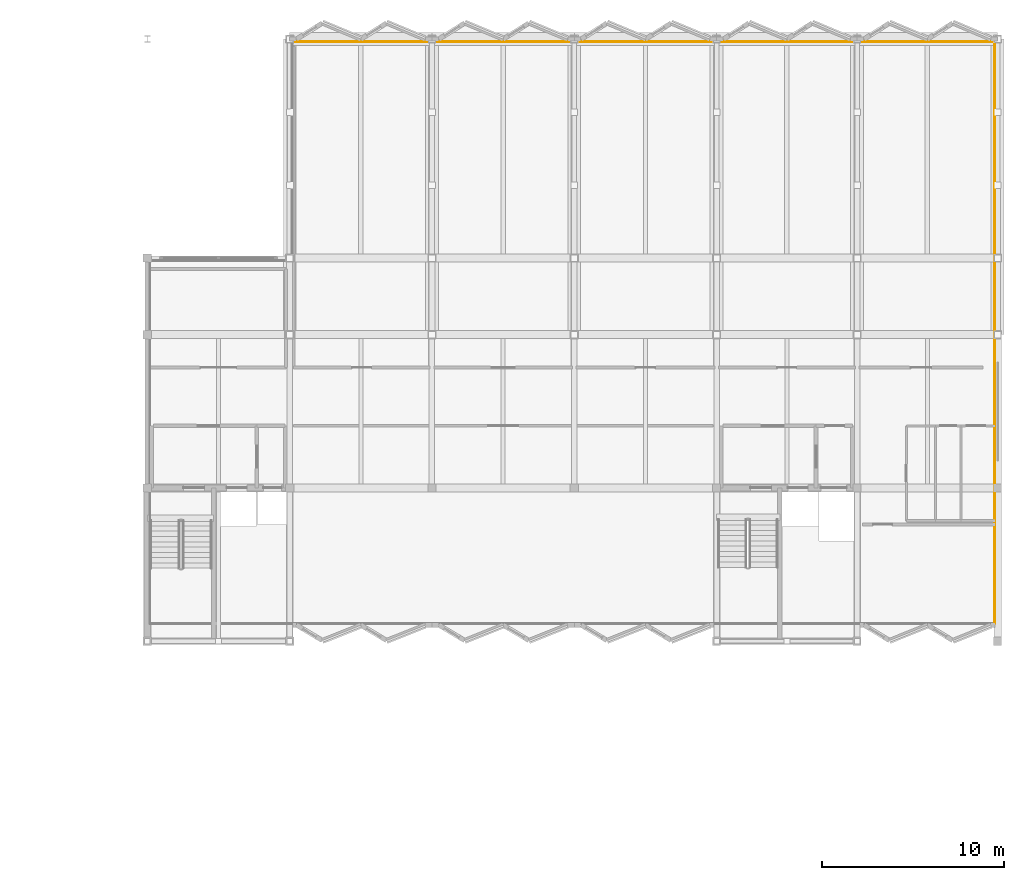
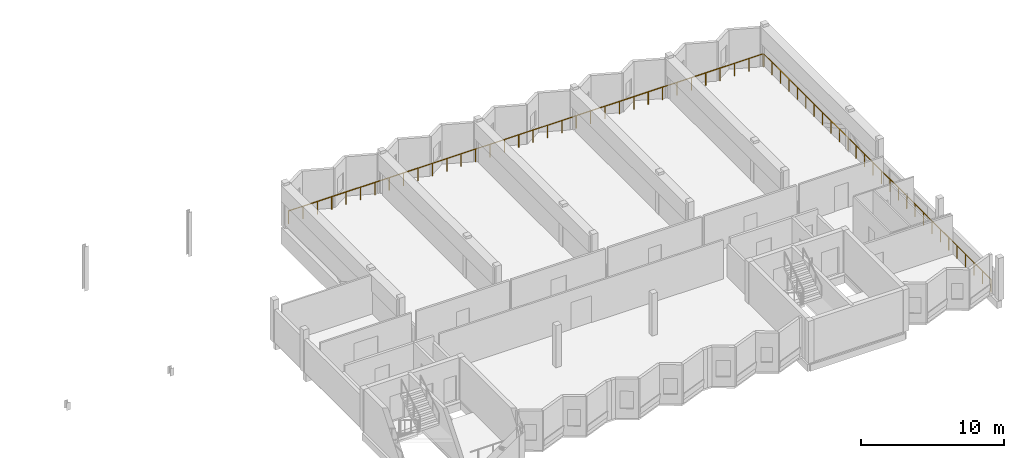
# One storey, part 34 of 34: 2 railings.
"""IFC4 building model written with IfcOpenShell, lengths in metres."""

import ifcopenshell
import ifcopenshell.guid

model = None  # the IFC model being written
_history = None  # IfcOwnerHistory: only IFC2X3 demands one
_inside = {}  # id of a spatial element -> (the spatial element, [elements in it])
_under = {}  # id of a project, library or spatial element -> (it, [spatial elements below it])
_declared = {}  # id of a project -> (the project, [libraries it declares])
_typed = {}  # id of a type object -> (the type object, [elements of that type])
_made_of = {}  # id of a material, layer set ... -> (it, [elements and type objects made of it])


def new_model(schema):
    """Start an empty IFC model of exactly this schema.

    Asked for "IFC4X3", IfcOpenShell would pick the latest addendum, in which some entities
    have other attributes; the version numbers below select the first issue.
    IFC2X3 requires an IfcOwnerHistory on every rooted entity: one is made here for all.
    """
    global model, _history
    if schema == "IFC4X3":
        model = ifcopenshell.file(schema_version=(4, 3, 0, 0))
    else:
        model = ifcopenshell.file(schema=schema)
    _inside.clear()
    _under.clear()
    _declared.clear()
    _typed.clear()
    _made_of.clear()
    _history = None
    if model.schema == "IFC2X3":
        org = make("IfcOrganization", Name="unknown")
        user = make(
            "IfcPersonAndOrganization",
            ThePerson=make("IfcPerson", FamilyName="unknown"),
            TheOrganization=org,
        )
        app = make(
            "IfcApplication",
            ApplicationDeveloper=org,
            Version="unknown",
            ApplicationFullName="unknown",
            ApplicationIdentifier="unknown",
        )
        _history = make(
            "IfcOwnerHistory",
            OwningUser=user,
            OwningApplication=app,
            ChangeAction="ADDED",
            CreationDate=0,
        )
    return model


def make(cls, **values):
    """One entity of the class cls with the attributes given. An attribute that is None is left unset."""
    return model.create_entity(
        cls, **{name: value for name, value in values.items() if value is not None}
    )


def rooted(cls, **values):
    """An entity with a GlobalId (a new one), such as an element, a storey or a relation."""
    return make(cls, GlobalId=ifcopenshell.guid.new(), OwnerHistory=_history, **values)


def si_unit(unit_type, name, prefix=None):
    """IfcSIUnit, for example si_unit("LENGTHUNIT", "METRE", prefix="MILLI")."""
    return make("IfcSIUnit", UnitType=unit_type, Prefix=prefix, Name=name)


def assignment(units):
    """IfcUnitAssignment: the units of a project."""
    return None if units is None else make("IfcUnitAssignment", Units=units)


def point(xyz):
    """IfcCartesianPoint."""
    return None if xyz is None else make("IfcCartesianPoint", Coordinates=xyz)


def direction(xyz):
    """IfcDirection."""
    return None if xyz is None else make("IfcDirection", DirectionRatios=xyz)


def frame(location, z_axis=None, x_axis=None):
    """IfcAxis2Placement3D, a coordinate frame: its origin and axes. An axis left out is left unset."""
    return make(
        "IfcAxis2Placement3D",
        Location=point(location),
        Axis=direction(z_axis),
        RefDirection=direction(x_axis),
    )


def frame_2d(location, x_axis=None):
    """IfcAxis2Placement2D, a coordinate frame in the plane: its origin and x axis."""
    return make(
        "IfcAxis2Placement2D", Location=point(location), RefDirection=direction(x_axis)
    )


def origin():
    """The frame at (0, 0, 0) with its axes left unset."""
    return frame((0.0, 0.0, 0.0))


def origin_2d():
    """The frame at (0, 0) in the plane with its x axis left unset."""
    return frame_2d((0.0, 0.0))


def place(relative_to, where):
    """IfcLocalPlacement: puts the frame where relative to a parent placement (None: the world)."""
    return make(
        "IfcLocalPlacement", PlacementRelTo=relative_to, RelativePlacement=where
    )


def context(
    kind, dimensions, precision=None, world=None, true_north=None, identifier=None
):
    """IfcGeometricRepresentationContext, for example the 3D "Model" context."""
    return make(
        "IfcGeometricRepresentationContext",
        ContextIdentifier=identifier,
        ContextType=kind,
        CoordinateSpaceDimension=dimensions,
        Precision=precision,
        WorldCoordinateSystem=world,
        TrueNorth=true_north,
    )


def subcontext(parent, identifier, kind, view, scale=None):
    """IfcGeometricRepresentationSubContext, for example "Body" below "Model"."""
    return make(
        "IfcGeometricRepresentationSubContext",
        ContextIdentifier=identifier,
        ContextType=kind,
        ParentContext=parent,
        TargetScale=scale,
        TargetView=view,
    )


def project(units=None, contexts=None):
    """IfcProject with its units and contexts."""
    return rooted(
        "IfcProject",
        Name="project",
        RepresentationContexts=contexts,
        UnitsInContext=assignment(units),
    )


def spatial(cls, under=None, at=None, **own):
    """A site, building, storey or space (cls), placed at a placement, below another one or the project."""
    s = rooted(cls, ObjectPlacement=at, **own)
    if under is not None:
        _under.setdefault(under.id(), (under, []))[1].append(s)
    return s


def profile(cls, at=None, kind="AREA", **sizes):
    """A parametric profile (cls). Its sizes go by their IFC names, for example OverallWidth=200.0."""
    return make(cls, ProfileType=kind, Position=at, **sizes)


def circle(**sizes):
    """IfcCircleProfileDef."""
    return profile("IfcCircleProfileDef", **sizes)


def extrude(swept, where, along, depth):
    """IfcExtrudedAreaSolid: the profile swept, set in the frame where, extruded along a direction by depth."""
    return make(
        "IfcExtrudedAreaSolid",
        SweptArea=swept,
        Position=where,
        ExtrudedDirection=direction(along),
        Depth=depth,
    )


def shape(context_of_items, identifier, shape_type, items):
    """IfcShapeRepresentation: the items that make up one representation, for example the "Body"."""
    return make(
        "IfcShapeRepresentation",
        ContextOfItems=context_of_items,
        RepresentationIdentifier=identifier,
        RepresentationType=shape_type,
        Items=items,
    )


def material(Name=None, Category=None):
    """IfcMaterial."""
    return make("IfcMaterial", Name=Name, Category=Category)


def made_of(thing, what):
    """Note that an element or type object is made of a material, layer set ...; save() writes the relation."""
    if what is not None:
        _made_of.setdefault(what.id(), (what, []))[1].append(thing)
    return thing


def type_object(cls, material=None, **own):
    """A type object (cls), such as IfcWallType, which elements share."""
    return made_of(rooted(cls, **own), material)


def element(
    cls,
    number,
    at=None,
    inside=None,
    cuts=None,
    type_object=None,
    material=None,
    context=None,
    identifier="Body",
    shape_type=None,
    held_by="IfcProductDefinitionShape",
    body=None,
    shapes=None,
    **own,
):
    """One element of the class cls, such as IfcWall. Its Tag is "e" and its number.

    at: its placement. inside: the storey or other place that contains it. cuts: it is an
    opening in that element (IfcRelVoidsElement). A single representation is given by context,
    identifier, shape_type and body (its items); several are given by shapes. held_by: the class
    of the entity that holds the representations. save() writes the other relations.
    """
    e = rooted(cls, Tag="e%d" % number, ObjectPlacement=at, **own)
    if body is not None:
        shapes = [shape(context, identifier, shape_type, body)]
    if shapes is not None:
        e.Representation = make(held_by, Representations=shapes)
    if inside is not None:
        _inside.setdefault(inside.id(), (inside, []))[1].append(e)
    if cuts is not None:
        rooted(
            "IfcRelVoidsElement", RelatingBuildingElement=cuts, RelatedOpeningElement=e
        )
    if type_object is not None:
        _typed.setdefault(type_object.id(), (type_object, []))[1].append(e)
    return made_of(e, material)


def aggregate(whole, parts):
    """IfcRelAggregates: a whole, such as a stair, and the parts it consists of."""
    return rooted("IfcRelAggregates", RelatingObject=whole, RelatedObjects=parts)


def save(model, path):
    """Write the relations noted so far, then the file.

    IfcRelAggregates (storeys below a building ...), IfcRelContainedInSpatialStructure (elements
    in a storey), IfcRelDefinesByType, IfcRelAssociatesMaterial and IfcRelDeclares: one each for
    every whole, place, type object, material and project.
    """
    for whole, parts in _under.values():
        aggregate(whole, parts)
    for where, things in _inside.values():
        rooted(
            "IfcRelContainedInSpatialStructure",
            RelatedElements=things,
            RelatingStructure=where,
        )
    for kind, things in _typed.values():
        rooted("IfcRelDefinesByType", RelatedObjects=things, RelatingType=kind)
    for what, things in _made_of.values():
        rooted("IfcRelAssociatesMaterial", RelatedObjects=things, RelatingMaterial=what)
    for by, libraries in _declared.values():
        rooted("IfcRelDeclares", RelatingContext=by, RelatedDefinitions=libraries)
    model.write(path)


model = new_model("IFC4")

# Units and contexts
model_context = context("Model", 3, precision=1e-05, world=origin(), true_north=direction((0.0, 1.0)))
body_context = subcontext(model_context, "Body", "Model", "MODEL_VIEW")
ifc_project = project(units=[si_unit("LENGTHUNIT", "METRE"), si_unit("AREAUNIT", "SQUARE_METRE"), si_unit("VOLUMEUNIT", "CUBIC_METRE"), si_unit("PLANEANGLEUNIT", "RADIAN"), si_unit("MASSUNIT", "GRAM", prefix="KILO")], contexts=[model_context])

# Site, building, storey
site_placement = place(None, origin())
site = spatial("IfcSite", under=ifc_project, at=site_placement, CompositionType="ELEMENT")
building_placement = place(site_placement, origin())
building = spatial("IfcBuilding", under=site, at=building_placement, Name="Vharandega Faculty of Natural Sciences", CompositionType="ELEMENT")
storey_placement = place(building_placement, frame((0.0, 0.0, 21.60009765625)))
storey = spatial("IfcBuildingStorey", under=building, at=storey_placement, Name="L05", CompositionType="ELEMENT", Elevation=21.60009765625)

# Railings
ifc_material = material(Name="Galvanised painted steel balustrade", Category="steel")
railing_type = type_object("IfcRailingType", Name="Terrace Steel Guardrail 1100", PredefinedType="GUARDRAIL", material=ifc_material)
railing_1_placement = place(storey_placement, frame((161.25, 64.97509765625, 0.0)))
element("IfcRailing", 1, at=railing_1_placement, inside=storey, type_object=railing_type, Name="Perimeter Sill Guard L05 #2", PredefinedType="GUARDRAIL", context=body_context, shape_type="SweptSolid", body=[
    extrude(circle(Radius=0.02392578125, at=origin_2d()), frame((0.0, 0.0, 1.076171875), z_axis=(0.0, 1.0, 0.0), x_axis=(-1.0, 0.0, 0.0)), (0.0, 0.0, 1.0), 31.849853515625),
    extrude(circle(Radius=0.02099609375, at=origin_2d()), origin(), (0.0, 0.0, 1.0), 1.052001953125),
    extrude(circle(Radius=0.02099609375, at=origin_2d()), frame((0.0, 1.1796875, 0.0)), (0.0, 0.0, 1.0), 1.052001953125),
    extrude(circle(Radius=0.02099609375, at=origin_2d()), frame((0.0, 2.359130859375, 0.0)), (0.0, 0.0, 1.0), 1.052001953125),
    extrude(circle(Radius=0.02099609375, at=origin_2d()), frame((0.0, 3.538818359375, 0.0)), (0.0, 0.0, 1.0), 1.052001953125),
    extrude(circle(Radius=0.02099609375, at=origin_2d()), frame((0.0, 4.718505859375, 0.0)), (0.0, 0.0, 1.0), 1.052001953125),
    extrude(circle(Radius=0.02099609375, at=origin_2d()), frame((0.0, 5.898193359375, 0.0)), (0.0, 0.0, 1.0), 1.052001953125),
    extrude(circle(Radius=0.02099609375, at=origin_2d()), frame((0.0, 7.07763671875, 0.0)), (0.0, 0.0, 1.0), 1.052001953125),
    extrude(circle(Radius=0.02099609375, at=origin_2d()), frame((0.0, 8.25732421875, 0.0)), (0.0, 0.0, 1.0), 1.052001953125),
    extrude(circle(Radius=0.02099609375, at=origin_2d()), frame((0.0, 9.43701171875, 0.0)), (0.0, 0.0, 1.0), 1.052001953125),
    extrude(circle(Radius=0.02099609375, at=origin_2d()), frame((0.0, 10.61669921875, 0.0)), (0.0, 0.0, 1.0), 1.052001953125),
    extrude(circle(Radius=0.02099609375, at=origin_2d()), frame((0.0, 11.796142578125, 0.0)), (0.0, 0.0, 1.0), 1.052001953125),
    extrude(circle(Radius=0.02099609375, at=origin_2d()), frame((0.0, 12.975830078125, 0.0)), (0.0, 0.0, 1.0), 1.052001953125),
    extrude(circle(Radius=0.02099609375, at=origin_2d()), frame((0.0, 14.155517578125, 0.0)), (0.0, 0.0, 1.0), 1.052001953125),
    extrude(circle(Radius=0.02099609375, at=origin_2d()), frame((0.0, 15.335205078125, 0.0)), (0.0, 0.0, 1.0), 1.052001953125),
    extrude(circle(Radius=0.02099609375, at=origin_2d()), frame((0.0, 16.5146484375, 0.0)), (0.0, 0.0, 1.0), 1.052001953125),
    extrude(circle(Radius=0.02099609375, at=origin_2d()), frame((0.0, 17.6943359375, 0.0)), (0.0, 0.0, 1.0), 1.052001953125),
    extrude(circle(Radius=0.02099609375, at=origin_2d()), frame((0.0, 18.8740234375, 0.0)), (0.0, 0.0, 1.0), 1.052001953125),
    extrude(circle(Radius=0.02099609375, at=origin_2d()), frame((0.0, 20.0537109375, 0.0)), (0.0, 0.0, 1.0), 1.052001953125),
    extrude(circle(Radius=0.02099609375, at=origin_2d()), frame((0.0, 21.233154296875, 0.0)), (0.0, 0.0, 1.0), 1.052001953125),
    extrude(circle(Radius=0.02099609375, at=origin_2d()), frame((0.0, 22.412841796875, 0.0)), (0.0, 0.0, 1.0), 1.052001953125),
    extrude(circle(Radius=0.02099609375, at=origin_2d()), frame((0.0, 23.592529296875, 0.0)), (0.0, 0.0, 1.0), 1.052001953125),
    extrude(circle(Radius=0.02099609375, at=origin_2d()), frame((0.0, 24.772216796875, 0.0)), (0.0, 0.0, 1.0), 1.052001953125),
    extrude(circle(Radius=0.02099609375, at=origin_2d()), frame((0.0, 25.95166015625, 0.0)), (0.0, 0.0, 1.0), 1.052001953125),
    extrude(circle(Radius=0.02099609375, at=origin_2d()), frame((0.0, 27.13134765625, 0.0)), (0.0, 0.0, 1.0), 1.052001953125),
    extrude(circle(Radius=0.02099609375, at=origin_2d()), frame((0.0, 28.31103515625, 0.0)), (0.0, 0.0, 1.0), 1.052001953125),
    extrude(circle(Radius=0.02099609375, at=origin_2d()), frame((0.0, 29.49072265625, 0.0)), (0.0, 0.0, 1.0), 1.052001953125),
    extrude(circle(Radius=0.02099609375, at=origin_2d()), frame((0.0, 30.670166015625, 0.0)), (0.0, 0.0, 1.0), 1.052001953125),
    extrude(circle(Radius=0.02099609375, at=origin_2d()), frame((0.0, 31.849853515625, 0.0)), (0.0, 0.0, 1.0), 1.052001953125),
])
railing_2_placement = place(storey_placement, frame((161.22509765625, 96.85009765625, 0.0)))
element("IfcRailing", 2, at=railing_2_placement, inside=storey, type_object=railing_type, Name="Perimeter Sill Guard L05 #3", PredefinedType="GUARDRAIL", context=body_context, shape_type="SweptSolid", body=[
    extrude(circle(Radius=0.02392578125, at=origin_2d()), frame((0.0, 0.0, 1.076171875), z_axis=(-1.0, 0.0, 0.0), x_axis=(0.0, -1.0, 0.0)), (0.0, 0.0, 1.0), 38.4501953125),
    extrude(circle(Radius=0.02099609375, at=origin_2d()), origin(), (0.0, 0.0, 1.0), 1.052001953125),
    extrude(circle(Radius=0.02099609375, at=origin_2d()), frame((-1.1650390625, 0.0, 0.0)), (0.0, 0.0, 1.0), 1.052001953125),
    extrude(circle(Radius=0.02099609375, at=origin_2d()), frame((-2.330322265625, 0.0, 0.0)), (0.0, 0.0, 1.0), 1.052001953125),
    extrude(circle(Radius=0.02099609375, at=origin_2d()), frame((-3.495361328125, 0.0, 0.0)), (0.0, 0.0, 1.0), 1.052001953125),
    extrude(circle(Radius=0.02099609375, at=origin_2d()), frame((-4.66064453125, 0.0, 0.0)), (0.0, 0.0, 1.0), 1.052001953125),
    extrude(circle(Radius=0.02099609375, at=origin_2d()), frame((-5.82568359375, 0.0, 0.0)), (0.0, 0.0, 1.0), 1.052001953125),
    extrude(circle(Radius=0.02099609375, at=origin_2d()), frame((-6.990966796875, 0.0, 0.0)), (0.0, 0.0, 1.0), 1.052001953125),
    extrude(circle(Radius=0.02099609375, at=origin_2d()), frame((-8.156005859375, 0.0, 0.0)), (0.0, 0.0, 1.0), 1.052001953125),
    extrude(circle(Radius=0.02099609375, at=origin_2d()), frame((-9.3212890625, 0.0, 0.0)), (0.0, 0.0, 1.0), 1.052001953125),
    extrude(circle(Radius=0.02099609375, at=origin_2d()), frame((-10.486328125, 0.0, 0.0)), (0.0, 0.0, 1.0), 1.052001953125),
    extrude(circle(Radius=0.02099609375, at=origin_2d()), frame((-11.651611328125, 0.0, 0.0)), (0.0, 0.0, 1.0), 1.052001953125),
    extrude(circle(Radius=0.02099609375, at=origin_2d()), frame((-12.816650390625, 0.0, 0.0)), (0.0, 0.0, 1.0), 1.052001953125),
    extrude(circle(Radius=0.02099609375, at=origin_2d()), frame((-13.98193359375, 0.0, 0.0)), (0.0, 0.0, 1.0), 1.052001953125),
    extrude(circle(Radius=0.02099609375, at=origin_2d()), frame((-15.14697265625, 0.0, 0.0)), (0.0, 0.0, 1.0), 1.052001953125),
    extrude(circle(Radius=0.02099609375, at=origin_2d()), frame((-16.312255859375, 0.0, 0.0)), (0.0, 0.0, 1.0), 1.052001953125),
    extrude(circle(Radius=0.02099609375, at=origin_2d()), frame((-17.477294921875, 0.0, 0.0)), (0.0, 0.0, 1.0), 1.052001953125),
    extrude(circle(Radius=0.02099609375, at=origin_2d()), frame((-18.642578125, 0.0, 0.0)), (0.0, 0.0, 1.0), 1.052001953125),
    extrude(circle(Radius=0.02099609375, at=origin_2d()), frame((-19.8076171875, 0.0, 0.0)), (0.0, 0.0, 1.0), 1.052001953125),
    extrude(circle(Radius=0.02099609375, at=origin_2d()), frame((-20.972900390625, 0.0, 0.0)), (0.0, 0.0, 1.0), 1.052001953125),
    extrude(circle(Radius=0.02099609375, at=origin_2d()), frame((-22.137939453125, 0.0, 0.0)), (0.0, 0.0, 1.0), 1.052001953125),
    extrude(circle(Radius=0.02099609375, at=origin_2d()), frame((-23.30322265625, 0.0, 0.0)), (0.0, 0.0, 1.0), 1.052001953125),
    extrude(circle(Radius=0.02099609375, at=origin_2d()), frame((-24.46826171875, 0.0, 0.0)), (0.0, 0.0, 1.0), 1.052001953125),
    extrude(circle(Radius=0.02099609375, at=origin_2d()), frame((-25.633544921875, 0.0, 0.0)), (0.0, 0.0, 1.0), 1.052001953125),
    extrude(circle(Radius=0.02099609375, at=origin_2d()), frame((-26.798583984375, 0.0, 0.0)), (0.0, 0.0, 1.0), 1.052001953125),
    extrude(circle(Radius=0.02099609375, at=origin_2d()), frame((-27.9638671875, 0.0, 0.0)), (0.0, 0.0, 1.0), 1.052001953125),
    extrude(circle(Radius=0.02099609375, at=origin_2d()), frame((-29.12890625, 0.0, 0.0)), (0.0, 0.0, 1.0), 1.052001953125),
    extrude(circle(Radius=0.02099609375, at=origin_2d()), frame((-30.294189453125, 0.0, 0.0)), (0.0, 0.0, 1.0), 1.052001953125),
    extrude(circle(Radius=0.02099609375, at=origin_2d()), frame((-31.459228515625, 0.0, 0.0)), (0.0, 0.0, 1.0), 1.052001953125),
    extrude(circle(Radius=0.02099609375, at=origin_2d()), frame((-32.62451171875, 0.0, 0.0)), (0.0, 0.0, 1.0), 1.052001953125),
    extrude(circle(Radius=0.02099609375, at=origin_2d()), frame((-33.78955078125, 0.0, 0.0)), (0.0, 0.0, 1.0), 1.052001953125),
    extrude(circle(Radius=0.02099609375, at=origin_2d()), frame((-34.954833984375, 0.0, 0.0)), (0.0, 0.0, 1.0), 1.052001953125),
    extrude(circle(Radius=0.02099609375, at=origin_2d()), frame((-36.119873046875, 0.0, 0.0)), (0.0, 0.0, 1.0), 1.052001953125),
    extrude(circle(Radius=0.02099609375, at=origin_2d()), frame((-37.28515625, 0.0, 0.0)), (0.0, 0.0, 1.0), 1.052001953125),
    extrude(circle(Radius=0.02099609375, at=origin_2d()), frame((-38.4501953125, 0.0, 0.0)), (0.0, 0.0, 1.0), 1.052001953125),
])

save(model, "model.ifc")
